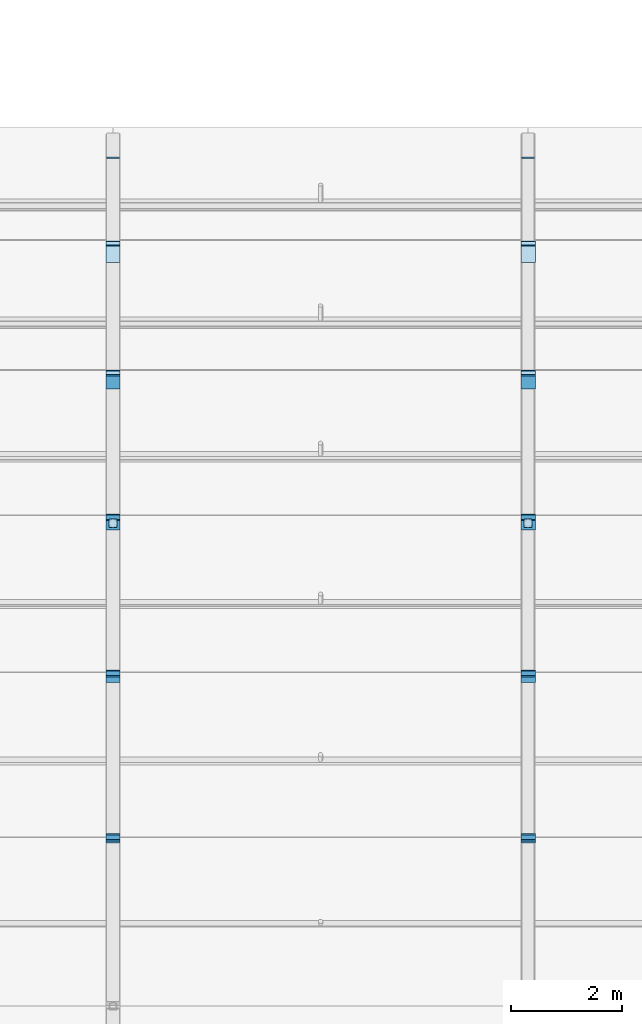
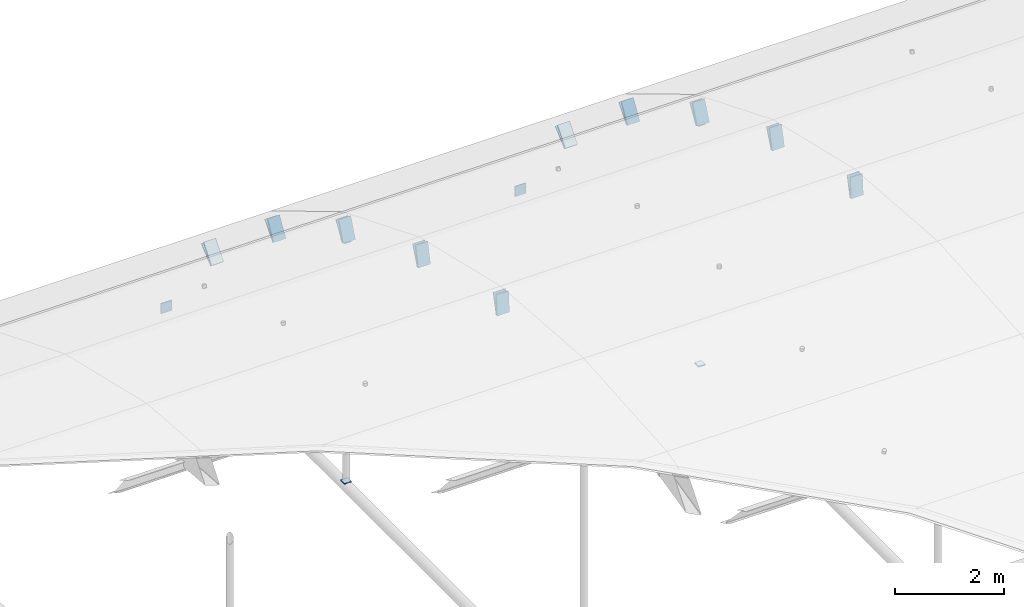
# One storey, part 51 of 77: 26 plates.
"""IFC4 building model written with IfcOpenShell, lengths in metres."""

from ifc_helpers import new_model, si_unit, direction, frame, origin, origin_2d, place, context, subcontext, project, spatial, rectangle, extrude, material, layer, layer_set, type_object, element, save


model = new_model("IFC4")

# Units and contexts
model_context = context("Model", 3, precision=1e-05, world=origin(), true_north=direction((0.0, 1.0)))
body_context = subcontext(model_context, "Body", "Model", "MODEL_VIEW")
ifc_project = project(units=[si_unit("LENGTHUNIT", "METRE"), si_unit("AREAUNIT", "SQUARE_METRE"), si_unit("VOLUMEUNIT", "CUBIC_METRE"), si_unit("PLANEANGLEUNIT", "RADIAN"), si_unit("MASSUNIT", "GRAM", prefix="KILO")], contexts=[model_context])

# Site, building, storey
site_placement = place(None, origin())
site = spatial("IfcSite", under=ifc_project, at=site_placement, CompositionType="ELEMENT")
building_placement = place(site_placement, origin())
building = spatial("IfcBuilding", under=site, at=building_placement, Name="Yukiwa Park Conservatory and Herbarium", CompositionType="ELEMENT")
storey_placement = place(building_placement, frame((0.0, 0.0, 13.199951171875)))
storey = spatial("IfcBuildingStorey", under=building, at=storey_placement, Name="L03", CompositionType="ELEMENT", Elevation=13.199951171875)

# Plates
ifc_material_1 = material(Name="Steel Q355D", Category="steel")
ifc_layer_1 = layer(ifc_material_1, 0.02392578125)
ifc_layer_set_1 = layer_set([ifc_layer_1], Name="Steel Q355D")
plate_type_1 = type_object("IfcPlateType", Name="PL-CAP-24", PredefinedType="USERDEFINED", material=ifc_layer_set_1)
plate_1_placement = place(storey_placement, frame((22.5, 18.561767578125, 3.37060546875), z_axis=(0.0, 0.997458699831, -0.071247049988), x_axis=(-1.0, 0.0, 0.0)))
element("IfcPlate", 1, at=plate_1_placement, inside=storey, type_object=plate_type_1, Name="Hollow section end cap plate CAP-RIB04-C07B", ObjectType="END CAP PLATE", PredefinedType="USERDEFINED", context=body_context, shape_type="SweptSolid", body=[
    extrude(rectangle(XDim=0.258056640625, YDim=0.4580078125, at=origin_2d()), origin(), (0.0, 0.0, 1.0), 0.02392578125),
])
plate_2_placement = place(storey_placement, frame((22.5, 18.658203125, 3.354248046875), z_axis=(0.0, -0.972479178012, 0.232989803065), x_axis=(1.0, 0.0, 0.0)))
element("IfcPlate", 2, at=plate_2_placement, inside=storey, type_object=plate_type_1, Name="Hollow section end cap plate CAP-RIB04-C08A", ObjectType="END CAP PLATE", PredefinedType="USERDEFINED", context=body_context, shape_type="SweptSolid", body=[
    extrude(rectangle(XDim=0.258056640625, YDim=0.4580078125, at=origin_2d()), origin(), (0.0, 0.0, 1.0), 0.024169921875),
])
for number, where, z_axis, x_axis, name in (
    (3, (22.5, 21.492919921875, 2.68505859375), (0.0, 0.974732318528, -0.223376156329), (-1.0, 0.0, 0.0), "Hollow section end cap plate CAP-RIB04-C08B"),
    (4, (22.5, 21.585693359375, 2.654052734375), (0.0, -0.926355609378, 0.376650082934), (1.0, 0.0, 0.0), "Hollow section end cap plate CAP-RIB04-C09A"),
    (5, (22.5, 24.28369140625, 1.556396484375), (0.0, 0.926355609378, -0.376650082934), (-1.0, 0.0, 0.0), "Hollow section end cap plate CAP-RIB04-C09B"),
    (6, (22.5, 24.370361328125, 1.511474609375), (0.0, -0.854787515222, 0.518978134242), (1.0, 0.0, 0.0), "Hollow section end cap plate CAP-RIB04-C10A"),
):
    element("IfcPlate", number, at=place(storey_placement, frame(where, z_axis=z_axis, x_axis=x_axis)), inside=storey, type_object=plate_type_1, Name=name, ObjectType="END CAP PLATE", PredefinedType="USERDEFINED", context=body_context, shape_type="SweptSolid", body=[
        extrude(rectangle(XDim=0.258056640625, YDim=0.4580078125, at=origin_2d()), origin(), (0.0, 0.0, 1.0), 0.02392578125),
    ])
plate_3_placement = place(storey_placement, frame((22.5, 26.8671875, 0.01171875), z_axis=(0.0, 0.857492925713, -0.514495755428), x_axis=(-1.0, 0.0, 0.0)))
element("IfcPlate", 7, at=plate_3_placement, inside=storey, type_object=plate_type_1, Name="Hollow section end cap plate CAP-RIB04-C10B", ObjectType="END CAP PLATE", PredefinedType="USERDEFINED", context=body_context, shape_type="SweptSolid", body=[
    extrude(rectangle(XDim=0.258056640625, YDim=0.4580078125, at=origin_2d()), origin(), (0.0, 0.0, 1.0), 0.024169921875),
])
for number, where, z_axis, x_axis, name in (
    (8, (22.5, 26.946044921875, -0.046142578125), (0.0, -0.76570486479, 0.643192086423), (1.0, 0.0, 0.0), "Hollow section end cap plate CAP-RIB04-C11A"),
    (9, (22.5, 29.182373046875, -1.912353515625), (0.0, 0.76570486479, -0.643192086423), (-1.0, 0.0, 0.0), "Hollow section end cap plate CAP-RIB04-C11B"),
    (10, (22.5, 29.251220703125, -1.981689453125), (0.0, -0.659940990637, 0.751317435494), (1.0, 0.0, 0.0), "Hollow section end cap plate CAP-RIB04-C12A"),
    (11, (30.0, 18.561767578125, 3.37060546875), (0.0, 0.997458699831, -0.071247049988), (-1.0, 0.0, 0.0), "Hollow section end cap plate CAP-RIB05-C07B"),
):
    element("IfcPlate", number, at=place(storey_placement, frame(where, z_axis=z_axis, x_axis=x_axis)), inside=storey, type_object=plate_type_1, Name=name, ObjectType="END CAP PLATE", PredefinedType="USERDEFINED", context=body_context, shape_type="SweptSolid", body=[
        extrude(rectangle(XDim=0.258056640625, YDim=0.4580078125, at=origin_2d()), origin(), (0.0, 0.0, 1.0), 0.02392578125),
    ])
plate_4_placement = place(storey_placement, frame((30.0, 18.658203125, 3.354248046875), z_axis=(0.0, -0.972479178012, 0.232989803065), x_axis=(1.0, 0.0, 0.0)))
element("IfcPlate", 12, at=plate_4_placement, inside=storey, type_object=plate_type_1, Name="Hollow section end cap plate CAP-RIB05-C08A", ObjectType="END CAP PLATE", PredefinedType="USERDEFINED", context=body_context, shape_type="SweptSolid", body=[
    extrude(rectangle(XDim=0.258056640625, YDim=0.4580078125, at=origin_2d()), origin(), (0.0, 0.0, 1.0), 0.024169921875),
])
for number, where, z_axis, x_axis, name in (
    (13, (30.0, 21.492919921875, 2.68505859375), (0.0, 0.974732318528, -0.223376156329), (-1.0, 0.0, 0.0), "Hollow section end cap plate CAP-RIB05-C08B"),
    (14, (30.0, 21.585693359375, 2.654052734375), (0.0, -0.926355609378, 0.376650082934), (1.0, 0.0, 0.0), "Hollow section end cap plate CAP-RIB05-C09A"),
    (15, (30.0, 24.28369140625, 1.556396484375), (0.0, 0.926355609378, -0.376650082934), (-1.0, 0.0, 0.0), "Hollow section end cap plate CAP-RIB05-C09B"),
    (16, (30.0, 24.370361328125, 1.511474609375), (0.0, -0.854787515222, 0.518978134242), (1.0, 0.0, 0.0), "Hollow section end cap plate CAP-RIB05-C10A"),
):
    element("IfcPlate", number, at=place(storey_placement, frame(where, z_axis=z_axis, x_axis=x_axis)), inside=storey, type_object=plate_type_1, Name=name, ObjectType="END CAP PLATE", PredefinedType="USERDEFINED", context=body_context, shape_type="SweptSolid", body=[
        extrude(rectangle(XDim=0.258056640625, YDim=0.4580078125, at=origin_2d()), origin(), (0.0, 0.0, 1.0), 0.02392578125),
    ])
plate_5_placement = place(storey_placement, frame((30.0, 26.8671875, 0.01171875), z_axis=(0.0, 0.857492925713, -0.514495755428), x_axis=(-1.0, 0.0, 0.0)))
element("IfcPlate", 17, at=plate_5_placement, inside=storey, type_object=plate_type_1, Name="Hollow section end cap plate CAP-RIB05-C10B", ObjectType="END CAP PLATE", PredefinedType="USERDEFINED", context=body_context, shape_type="SweptSolid", body=[
    extrude(rectangle(XDim=0.258056640625, YDim=0.4580078125, at=origin_2d()), origin(), (0.0, 0.0, 1.0), 0.024169921875),
])
for number, where, z_axis, x_axis, name in (
    (18, (30.0, 26.946044921875, -0.046142578125), (0.0, -0.76570486479, 0.643192086423), (1.0, 0.0, 0.0), "Hollow section end cap plate CAP-RIB05-C11A"),
    (19, (30.0, 29.182373046875, -1.912353515625), (0.0, 0.76570486479, -0.643192086423), (-1.0, 0.0, 0.0), "Hollow section end cap plate CAP-RIB05-C11B"),
    (20, (30.0, 29.251220703125, -1.981689453125), (0.0, -0.659940990637, 0.751317435494), (1.0, 0.0, 0.0), "Hollow section end cap plate CAP-RIB05-C12A"),
):
    element("IfcPlate", number, at=place(storey_placement, frame(where, z_axis=z_axis, x_axis=x_axis)), inside=storey, type_object=plate_type_1, Name=name, ObjectType="END CAP PLATE", PredefinedType="USERDEFINED", context=body_context, shape_type="SweptSolid", body=[
        extrude(rectangle(XDim=0.258056640625, YDim=0.4580078125, at=origin_2d()), origin(), (0.0, 0.0, 1.0), 0.02392578125),
    ])
ifc_material_2 = material(Name="Steel Q355D", Category="steel")
ifc_layer_2 = layer(ifc_material_2, 0.02392578125)
ifc_layer_set_2 = layer_set([ifc_layer_2], Name="Steel Q355D")
plate_type_2 = type_object("IfcPlateType", Name="PL-CAP-24-INT", PredefinedType="USERDEFINED", material=ifc_layer_set_2)
plate_6_placement = place(storey_placement, frame((22.5, 30.910888671875, -4.199951171875), z_axis=(0.0, 1.0, 0.0), x_axis=(-1.0, 0.0, 0.0)))
element("IfcPlate", 21, at=plate_6_placement, inside=storey, type_object=plate_type_2, Name="Hollow section end cap plate CAP-VTIE-04-N", ObjectType="END CAP PLATE", PredefinedType="USERDEFINED", context=body_context, shape_type="SweptSolid", body=[
    extrude(rectangle(XDim=0.22705078125, YDim=0.22705078125, at=origin_2d()), origin(), (0.0, 0.0, 1.0), 0.024169921875),
])
plate_7_placement = place(storey_placement, frame((22.5, 24.320556640625, -4.087890625), z_axis=(0.0, 0.0, -1.0), x_axis=(1.0, 0.0, 0.0)))
element("IfcPlate", 22, at=plate_7_placement, inside=storey, type_object=plate_type_2, Name="Hollow section end cap plate CAP-VHNG-04-9B", ObjectType="END CAP PLATE", PredefinedType="USERDEFINED", context=body_context, shape_type="SweptSolid", body=[
    extrude(rectangle(XDim=0.147705078125, YDim=0.147705078125, at=origin_2d()), origin(), (0.0, 0.0, 1.0), 0.024169921875),
])
plate_8_placement = place(storey_placement, frame((22.5, 24.320556640625, 1.282470703125), z_axis=(0.0, 0.0, 1.0), x_axis=(1.0, 0.0, 0.0)))
element("IfcPlate", 23, at=plate_8_placement, inside=storey, type_object=plate_type_2, Name="Hollow section end cap plate CAP-VHNG-04-9T", ObjectType="END CAP PLATE", PredefinedType="USERDEFINED", context=body_context, shape_type="SweptSolid", body=[
    extrude(rectangle(XDim=0.147705078125, YDim=0.147705078125, at=origin_2d()), origin(), (0.0, 0.0, 1.0), 0.02392578125),
])
plate_9_placement = place(storey_placement, frame((30.0, 30.910888671875, -4.199951171875), z_axis=(0.0, 1.0, 0.0), x_axis=(-1.0, 0.0, 0.0)))
element("IfcPlate", 24, at=plate_9_placement, inside=storey, type_object=plate_type_2, Name="Hollow section end cap plate CAP-VTIE-05-N", ObjectType="END CAP PLATE", PredefinedType="USERDEFINED", context=body_context, shape_type="SweptSolid", body=[
    extrude(rectangle(XDim=0.22705078125, YDim=0.22705078125, at=origin_2d()), origin(), (0.0, 0.0, 1.0), 0.024169921875),
])
plate_10_placement = place(storey_placement, frame((30.0, 24.320556640625, -4.087890625), z_axis=(0.0, 0.0, -1.0), x_axis=(1.0, 0.0, 0.0)))
element("IfcPlate", 25, at=plate_10_placement, inside=storey, type_object=plate_type_2, Name="Hollow section end cap plate CAP-VHNG-05-9B", ObjectType="END CAP PLATE", PredefinedType="USERDEFINED", context=body_context, shape_type="SweptSolid", body=[
    extrude(rectangle(XDim=0.147705078125, YDim=0.147705078125, at=origin_2d()), origin(), (0.0, 0.0, 1.0), 0.024169921875),
])
plate_11_placement = place(storey_placement, frame((30.0, 24.320556640625, 1.282470703125), z_axis=(0.0, 0.0, 1.0), x_axis=(1.0, 0.0, 0.0)))
element("IfcPlate", 26, at=plate_11_placement, inside=storey, type_object=plate_type_2, Name="Hollow section end cap plate CAP-VHNG-05-9T", ObjectType="END CAP PLATE", PredefinedType="USERDEFINED", context=body_context, shape_type="SweptSolid", body=[
    extrude(rectangle(XDim=0.147705078125, YDim=0.147705078125, at=origin_2d()), origin(), (0.0, 0.0, 1.0), 0.02392578125),
])

save(model, "model.ifc")
